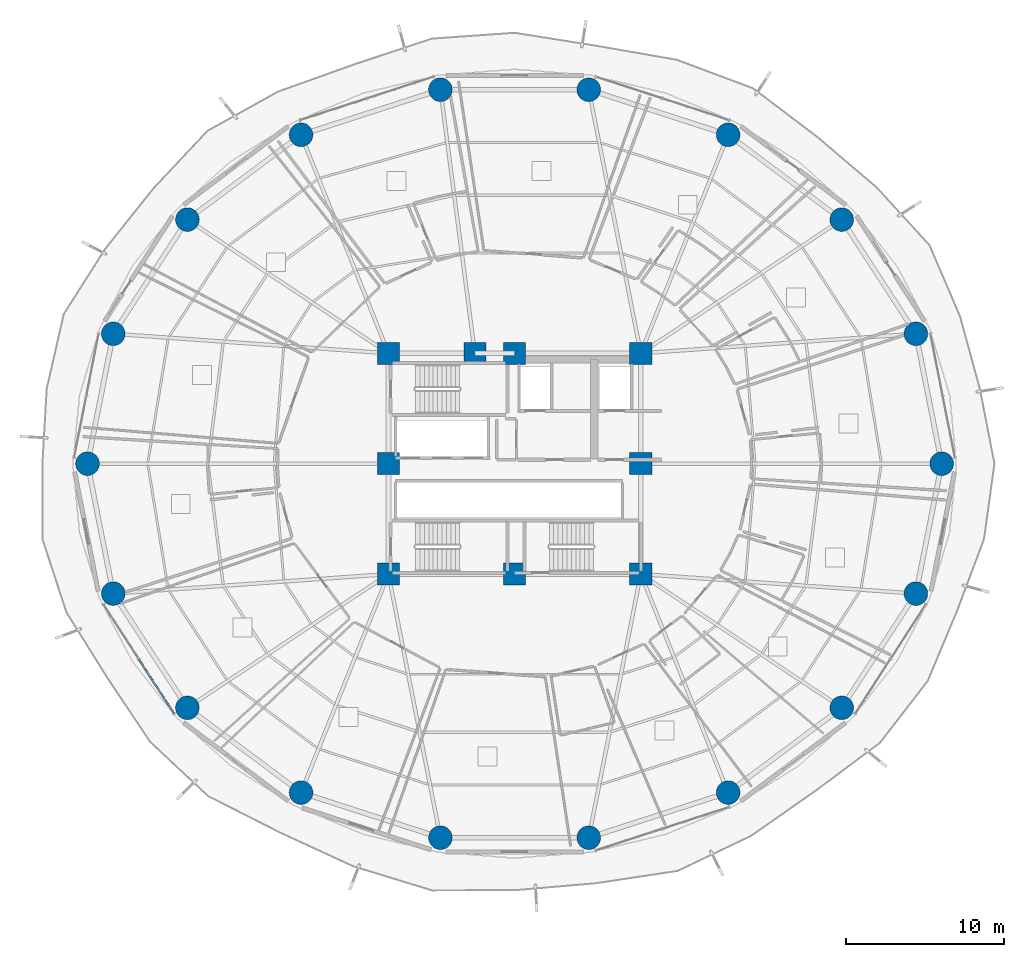
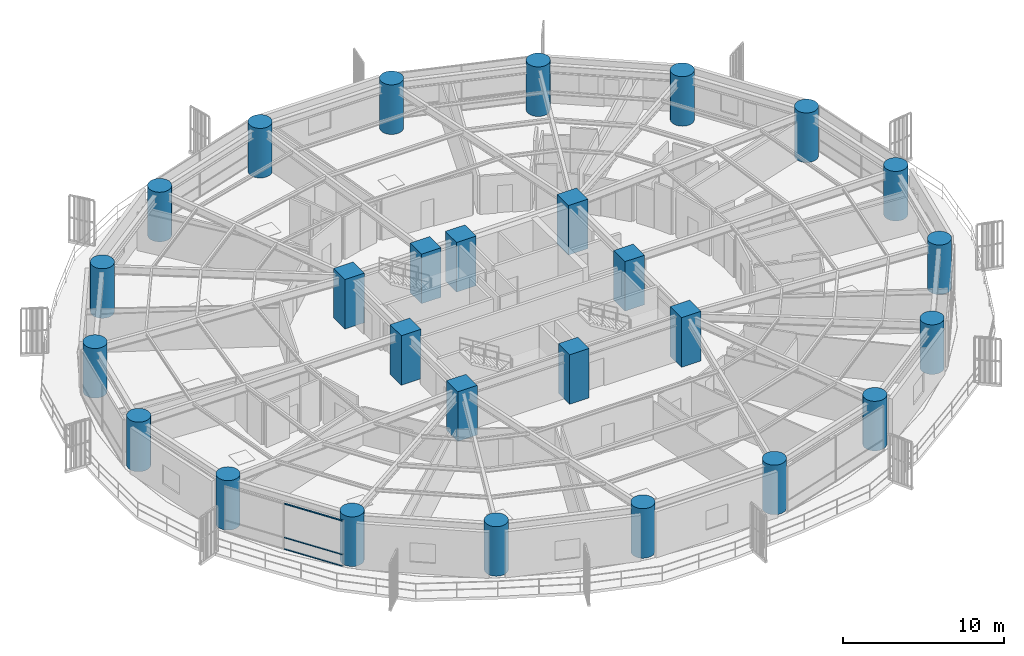
# One storey, part 1 of 32: 27 columns, 3 members, 1 element without a shape of its own.
"""IFC4 building model written with IfcOpenShell, lengths in metres."""

from ifc_helpers import new_model, si_unit, direction, frame, origin, origin_2d, place, context, subcontext, project, spatial, rectangle, hollow_rectangle, circle, extrude, material, layer, layer_set, material_profile, profile_set, type_object, element, aggregate, save


model = new_model("IFC4")

# Units and contexts
model_context = context("Model", 3, precision=1e-05, world=origin(), true_north=direction((0.0, 1.0)))
body_context = subcontext(model_context, "Body", "Model", "MODEL_VIEW")
ifc_project = project(units=[si_unit("LENGTHUNIT", "METRE"), si_unit("AREAUNIT", "SQUARE_METRE"), si_unit("VOLUMEUNIT", "CUBIC_METRE"), si_unit("PLANEANGLEUNIT", "RADIAN"), si_unit("MASSUNIT", "GRAM", prefix="KILO")], contexts=[model_context])

# Site, building, storey
site_placement = place(None, origin())
site = spatial("IfcSite", under=ifc_project, at=site_placement, CompositionType="ELEMENT")
building_placement = place(site_placement, origin())
building = spatial("IfcBuilding", under=site, at=building_placement, Name="Kelanora Arch Commons", CompositionType="ELEMENT")
storey_placement = place(building_placement, frame((0.0, 0.0, 60.0)))
storey = spatial("IfcBuildingStorey", under=building, at=storey_placement, Name="L15", CompositionType="ELEMENT", Elevation=60.0)

# Columns
ifc_material_1 = material(Name="Concrete C60/75", Category="concrete")
ifc_material_profile_1 = material_profile(ifc_material_1, circle(Radius=0.75, at=origin_2d()), Name="RCC1500")
ifc_profile_set_1 = profile_set([ifc_material_profile_1], Name="Concrete C60/75")
column_type_1 = type_object("IfcColumnType", Name="COL-PERIM-Z1", PredefinedType="COLUMN", material=ifc_profile_set_1)
for number, where, z_axis, x_axis, name in (
    (1, (101.080078125, 58.0, 0.0), (0.0, 0.0, 1.0), (1.0, 0.0, 0.0), "Perimeter Ring Column CP-00 L15"),
    (2, (99.447021484375, 66.23583984375, 0.0), (0.0, 0.0, 1.0), (1.0, 0.0, 0.0), "Perimeter Ring Column CP-02 L15"),
    (3, (94.744384765625, 73.478271484375, 0.0), (0.0, 0.0, 1.0), (1.0, 0.0, 0.0), "Perimeter Ring Column CP-04 L15"),
    (4, (87.5400390625, 78.85400390625, 0.0), (0.0, 0.0, 1.0), (1.0, 0.0, 0.0), "Perimeter Ring Column CP-06 L15"),
    (5, (78.702392578125, 81.714111328125, 0.0), (0.0, 0.0, 1.0), (1.0, 0.0, 0.0), "Perimeter Ring Column CP-08 L15"),
    (6, (69.297607421875, 81.714111328125, 0.0), (0.0, 0.0, 1.0), (1.0, 0.0, 0.0), "Perimeter Ring Column CP-10 L15"),
    (7, (60.4599609375, 78.85400390625, 0.0), (0.0, 0.0, 1.0), (1.0, 0.0, 0.0), "Perimeter Ring Column CP-12 L15"),
    (8, (53.255615234375, 73.478271484375, 0.0), (0.0, 0.0, 1.0), (1.0, 0.0, 0.0), "Perimeter Ring Column CP-14 L15"),
    (9, (48.552978515625, 66.23583984375, 0.0), (0.0, 0.0, 1.0), (1.0, 0.0, 0.0), "Perimeter Ring Column CP-16 L15"),
    (10, (46.919921875, 58.0, 0.0), (0.0, 0.0, 1.0), (1.0, 0.0, 0.0), "Perimeter Ring Column CP-18 L15"),
    (11, (48.552978515625, 49.76416015625, 0.0), (0.0, 0.0, 1.0), (1.0, 0.0, 0.0), "Perimeter Ring Column CP-20 L15"),
    (12, (53.255615234375, 42.521728515625, 0.0), (0.0, 0.0, 1.0), (1.0, 0.0, 0.0), "Perimeter Ring Column CP-22 L15"),
    (13, (60.4599609375, 37.14599609375, 0.0), (0.0, 0.0, 1.0), (1.0, 0.0, 0.0), "Perimeter Ring Column CP-24 L15"),
    (14, (69.297607421875, 34.285888671875, 0.0), (0.0, 0.0, 1.0), (1.0, 0.0, 0.0), "Perimeter Ring Column CP-26 L15"),
    (15, (78.702392578125, 34.285888671875, 0.0), (0.0, 0.0, 1.0), (1.0, 0.0, 0.0), "Perimeter Ring Column CP-28 L15"),
    (16, (87.5400390625, 37.14599609375, 0.0), (0.0, 0.0, 1.0), (1.0, 0.0, 0.0), "Perimeter Ring Column CP-30 L15"),
    (17, (94.744384765625, 42.521728515625, 0.0), (0.0, 0.0, 1.0), (1.0, 0.0, 0.0), "Perimeter Ring Column CP-32 L15"),
    (18, (99.447021484375, 49.76416015625, 0.0), (0.0, 0.0, 1.0), (1.0, 0.0, 0.0), "Perimeter Ring Column CP-34 L15"),
):
    element("IfcColumn", number, at=place(storey_placement, frame(where, z_axis=z_axis, x_axis=x_axis)), inside=storey, type_object=column_type_1, Name=name, PredefinedType="COLUMN", context=body_context, shape_type="SweptSolid", body=[
        extrude(circle(Radius=0.75, at=origin_2d()), origin(), (0.0, 0.0, 1.0), 3.75),
    ])
ifc_material_profile_2 = material_profile(ifc_material_1, rectangle(XDim=1.39990234375, YDim=1.39990234375, at=origin_2d()), Name="RC1400x1400")
ifc_profile_set_2 = profile_set([ifc_material_profile_2], Name="Concrete C60/75")
column_type_2 = type_object("IfcColumnType", Name="COL-PIL-LOW", PredefinedType="PILASTER", material=ifc_profile_set_2)
for number, where, z_axis, x_axis, name in (
    (19, (66.0, 51.0, 0.0), (0.0, 0.0, 1.0), (1.0, 0.0, 0.0), "Core Pilaster Column CP1 L15"),
    (20, (74.0, 51.0, 0.0), (0.0, 0.0, 1.0), (1.0, 0.0, 0.0), "Core Pilaster Column CP2 L15"),
    (21, (82.0, 51.0, 0.0), (0.0, 0.0, 1.0), (1.0, 0.0, 0.0), "Core Pilaster Column CP3 L15"),
    (22, (82.0, 58.0, 0.0), (0.0, 0.0, 1.0), (1.0, 0.0, 0.0), "Core Pilaster Column CP4 L15"),
    (23, (82.0, 65.0, 0.0), (0.0, 0.0, 1.0), (1.0, 0.0, 0.0), "Core Pilaster Column CP5 L15"),
    (24, (74.0, 65.0, 0.0), (0.0, 0.0, 1.0), (1.0, 0.0, 0.0), "Core Pilaster Column CP6 L15"),
    (25, (71.47998046875, 65.0, 0.0), (0.0, 0.0, 1.0), (1.0, 0.0, 0.0), "Core Pilaster Column CP9 L15"),
    (26, (66.0, 65.0, 0.0), (0.0, 0.0, 1.0), (1.0, 0.0, 0.0), "Core Pilaster Column CP7 L15"),
    (27, (66.0, 58.0, 0.0), (0.0, 0.0, 1.0), (1.0, 0.0, 0.0), "Core Pilaster Column CP8 L15"),
):
    element("IfcColumn", number, at=place(storey_placement, frame(where, z_axis=z_axis, x_axis=x_axis)), inside=storey, type_object=column_type_2, Name=name, PredefinedType="PILASTER", context=body_context, shape_type="SweptSolid", body=[
        extrude(rectangle(XDim=1.39990234375, YDim=1.39990234375, at=origin_2d()), origin(), (0.0, 0.0, 1.0), 3.75),
    ])

# Curtain wall, members
ifc_material_2 = material(Name="Terracotta ceramic-fritted low-E glass and aluminium", Category="masonry")
ifc_layer = layer(ifc_material_2, 0.159912109375)
ifc_layer_set = layer_set([ifc_layer], Name="Terracotta ceramic-fritted low-E glass and aluminium")
curtain_wall_type = type_object("IfcCurtainWallType", Name="CW-SYS-01", PredefinedType="NOTDEFINED", material=ifc_layer_set)
curtain_wall_placement = place(storey_placement, origin())
curtain_wall = element("IfcCurtainWall", 28, at=curtain_wall_placement, inside=storey, type_object=curtain_wall_type, Name="Unitised Curtain Wall L15-B10", PredefinedType="NOTDEFINED")
ifc_material_3 = material(Name="Powder-coated aluminium terracotta", Category="masonry")
ifc_material_profile_3 = material_profile(ifc_material_3, hollow_rectangle(XDim=0.1201171875, YDim=0.06005859375, WallThickness=0.0048828125, InnerFilletRadius=0.0048828125, OuterFilletRadius=0.010009765625, at=origin_2d()), Name="CWT120x60")
ifc_profile_set_3 = profile_set([ifc_material_profile_3], Name="Powder-coated aluminium terracotta")
member_type = type_object("IfcMemberType", Name="CWT-STD", PredefinedType="USERDEFINED", material=ifc_profile_set_3)
member_1_placement = place(storey_placement, frame((50.185546875, 45.588134765625, 0.030029296875), z_axis=(0.542997414293, -0.839734367566, 0.0), x_axis=(0.839734367566, 0.542997414293, 0.0)))
member_1 = element("IfcMember", 29, at=member_1_placement, type_object=member_type, Name="CW-01 transom 2.1", ObjectType="TRANSOM", PredefinedType="USERDEFINED", context=body_context, shape_type="SweptSolid", body=[
    extrude(hollow_rectangle(XDim=0.1201171875, YDim=0.06005859375, WallThickness=0.0048828125, InnerFilletRadius=0.0048828125, OuterFilletRadius=0.010009765625, at=origin_2d()), origin(), (0.0, 0.0, 1.0), 4.067626953125),
])
member_2_placement = place(storey_placement, frame((50.185546875, 45.588134765625, 0.89990234375), z_axis=(0.542997414293, -0.839734367566, 0.0), x_axis=(0.839734367566, 0.542997414293, 0.0)))
member_2 = element("IfcMember", 30, at=member_2_placement, type_object=member_type, Name="CW-01 transom 2.2", ObjectType="TRANSOM", PredefinedType="USERDEFINED", context=body_context, shape_type="SweptSolid", body=[
    extrude(hollow_rectangle(XDim=0.1201171875, YDim=0.06005859375, WallThickness=0.0048828125, InnerFilletRadius=0.0048828125, OuterFilletRadius=0.010009765625, at=origin_2d()), origin(), (0.0, 0.0, 1.0), 4.067626953125),
])
member_3_placement = place(storey_placement, frame((50.185546875, 45.588134765625, 3.445068359375), z_axis=(0.542997414293, -0.839734367566, 0.0), x_axis=(0.839734367566, 0.542997414293, 0.0)))
member_3 = element("IfcMember", 31, at=member_3_placement, type_object=member_type, Name="CW-01 transom 2.3", ObjectType="TRANSOM", PredefinedType="USERDEFINED", context=body_context, shape_type="SweptSolid", body=[
    extrude(hollow_rectangle(XDim=0.1201171875, YDim=0.06005859375, WallThickness=0.0048828125, InnerFilletRadius=0.0048828125, OuterFilletRadius=0.010009765625, at=origin_2d()), origin(), (0.0, 0.0, 1.0), 4.067626953125),
])
aggregate(curtain_wall, [member_1, member_2, member_3])

save(model, "model.ifc")
